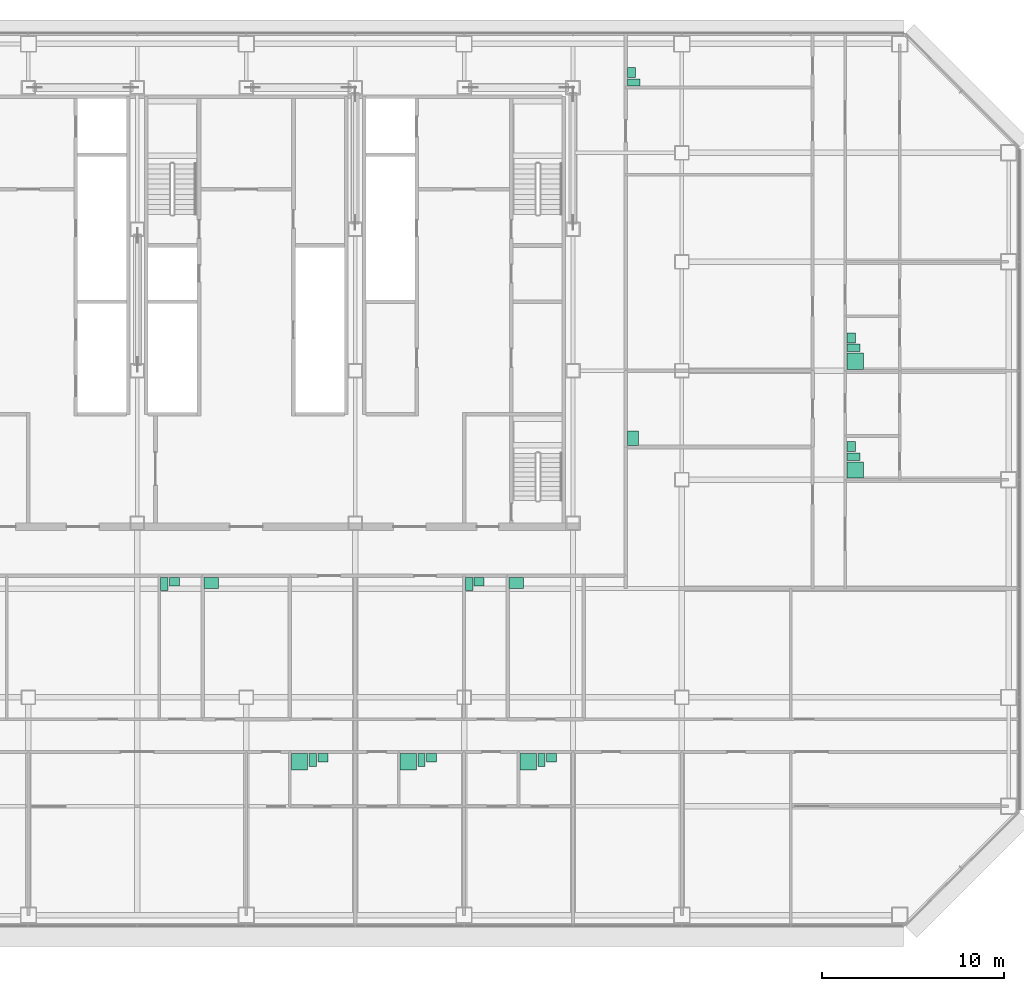
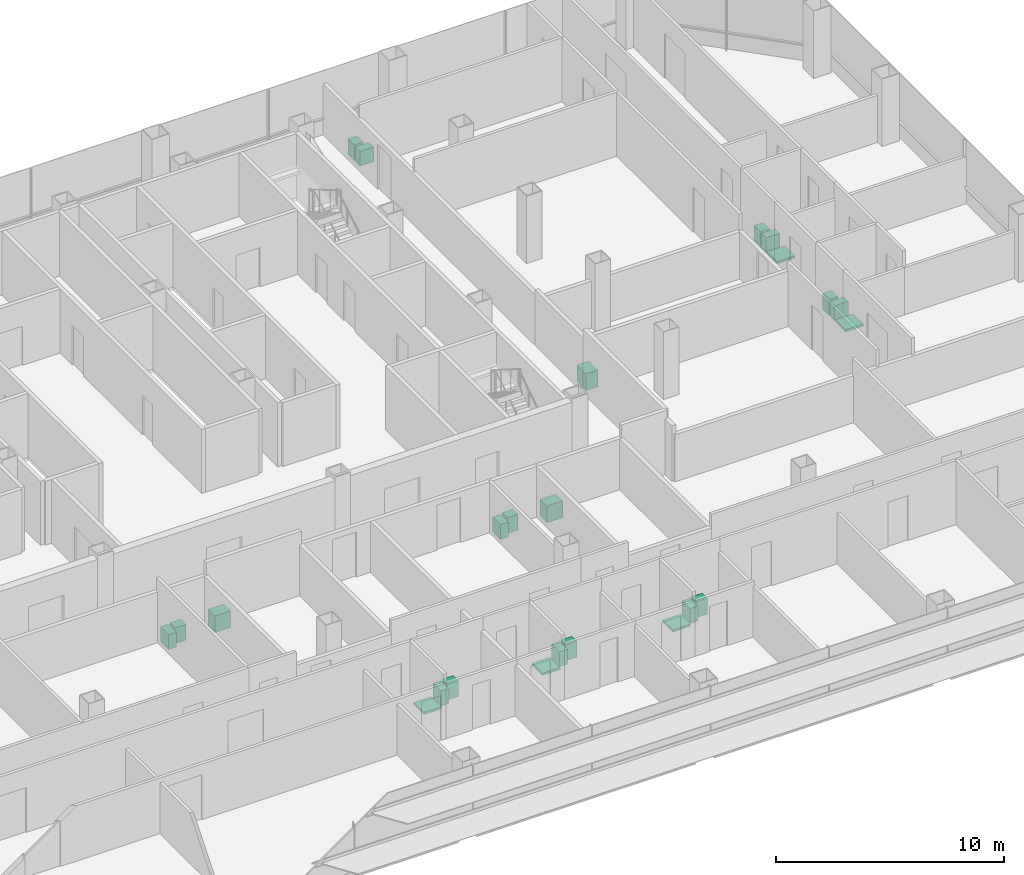
# One storey, part 26 of 26: 24 sanitary terminals.
"""IFC4 building model written with IfcOpenShell, lengths in metres."""

from ifc_helpers import new_model, si_unit, direction, frame, origin, origin_2d, place, context, subcontext, project, spatial, rectangle, extrude, element, save


model = new_model("IFC4")

# Units and contexts
model_context = context("Model", 3, precision=1e-05, world=origin(), true_north=direction((0.0, 1.0)))
body_context = subcontext(model_context, "Body", "Model", "MODEL_VIEW")
ifc_project = project(units=[si_unit("LENGTHUNIT", "METRE"), si_unit("AREAUNIT", "SQUARE_METRE"), si_unit("VOLUMEUNIT", "CUBIC_METRE"), si_unit("PLANEANGLEUNIT", "RADIAN"), si_unit("MASSUNIT", "GRAM", prefix="KILO")], contexts=[model_context])

# Site, building, storey
site_placement = place(None, origin())
site = spatial("IfcSite", under=ifc_project, at=site_placement, CompositionType="ELEMENT")
building_placement = place(site_placement, origin())
building = spatial("IfcBuilding", under=site, at=building_placement, Name="Sorahane Residences", CompositionType="ELEMENT")
storey_placement = place(building_placement, frame((0.0, 0.0, 67.800048828125)))
storey = spatial("IfcBuildingStorey", under=building, at=storey_placement, Name="L13", CompositionType="ELEMENT", Elevation=67.800048828125)

# Sanitary terminals
sanitary_terminal_1_placement = place(storey_placement, frame((26.929931640625, 8.449951171875, 0.0), z_axis=(0.0, 0.0, 1.0), x_axis=(1.0, 0.0, 0.0)))
element("IfcSanitaryTerminal", 1, at=sanitary_terminal_1_placement, inside=storey, Name="Shower tray En-suite bathroom 13A", PredefinedType="SHOWER", context=body_context, shape_type="SweptSolid", body=[
    extrude(rectangle(XDim=0.89990234375, YDim=0.89990234375, at=origin_2d()), origin(), (0.0, 0.0, 1.0), 0.1201171875),
])
sanitary_terminal_2_placement = place(storey_placement, frame((27.659912109375, 8.550048828125, 0.0), z_axis=(0.0, 0.0, 1.0), x_axis=(1.0, 0.0, 0.0)))
element("IfcSanitaryTerminal", 2, at=sanitary_terminal_2_placement, inside=storey, Name="WC pan En-suite bathroom 13A", PredefinedType="TOILETPAN", context=body_context, shape_type="SweptSolid", body=[
    extrude(rectangle(XDim=0.39990234375, YDim=0.699951171875, at=origin_2d()), origin(), (0.0, 0.0, 1.0), 0.800048828125),
])
sanitary_terminal_3_placement = place(storey_placement, frame((28.215087890625, 8.675048828125, 0.0), z_axis=(0.0, 0.0, 1.0), x_axis=(1.0, 0.0, 0.0)))
element("IfcSanitaryTerminal", 3, at=sanitary_terminal_3_placement, inside=storey, Name="Wash basin En-suite bathroom 13A", PredefinedType="WASHHANDBASIN", context=body_context, shape_type="SweptSolid", body=[
    extrude(rectangle(XDim=0.550048828125, YDim=0.449951171875, at=origin_2d()), origin(), (0.0, 0.0, 1.0), 0.85009765625),
])
sanitary_terminal_4_placement = place(storey_placement, frame((19.47998046875, 18.25, 0.0), z_axis=(0.0, 0.0, 1.0), x_axis=(1.0, 0.0, 0.0)))
element("IfcSanitaryTerminal", 4, at=sanitary_terminal_4_placement, inside=storey, Name="WC pan Guest WC 13A", PredefinedType="TOILETPAN", context=body_context, shape_type="SweptSolid", body=[
    extrude(rectangle(XDim=0.39990234375, YDim=0.699951171875, at=origin_2d()), origin(), (0.0, 0.0, 1.0), 0.800048828125),
])
sanitary_terminal_5_placement = place(storey_placement, frame((20.034912109375, 18.375, 0.0), z_axis=(0.0, 0.0, 1.0), x_axis=(1.0, 0.0, 0.0)))
element("IfcSanitaryTerminal", 5, at=sanitary_terminal_5_placement, inside=storey, Name="Wash basin Guest WC 13A", PredefinedType="WASHHANDBASIN", context=body_context, shape_type="SweptSolid", body=[
    extrude(rectangle(XDim=0.550048828125, YDim=0.449951171875, at=origin_2d()), origin(), (0.0, 0.0, 1.0), 0.85009765625),
])
sanitary_terminal_6_placement = place(storey_placement, frame((22.080078125, 18.300048828125, 0.0), z_axis=(0.0, 0.0, 1.0), x_axis=(1.0, 0.0, 0.0)))
element("IfcSanitaryTerminal", 6, at=sanitary_terminal_6_placement, inside=storey, Name="Kitchen sink Kitchen 13A", PredefinedType="SINK", context=body_context, shape_type="SweptSolid", body=[
    extrude(rectangle(XDim=0.800048828125, YDim=0.60009765625, at=origin_2d()), origin(), (0.0, 0.0, 1.0), 0.89990234375),
])
sanitary_terminal_7_placement = place(storey_placement, frame((32.929931640625, 8.449951171875, 0.0), z_axis=(0.0, 0.0, 1.0), x_axis=(1.0, 0.0, 0.0)))
element("IfcSanitaryTerminal", 7, at=sanitary_terminal_7_placement, inside=storey, Name="Shower tray En-suite bathroom 13B", PredefinedType="SHOWER", context=body_context, shape_type="SweptSolid", body=[
    extrude(rectangle(XDim=0.89990234375, YDim=0.89990234375, at=origin_2d()), origin(), (0.0, 0.0, 1.0), 0.1201171875),
])
sanitary_terminal_8_placement = place(storey_placement, frame((33.659912109375, 8.550048828125, 0.0), z_axis=(0.0, 0.0, 1.0), x_axis=(1.0, 0.0, 0.0)))
element("IfcSanitaryTerminal", 8, at=sanitary_terminal_8_placement, inside=storey, Name="WC pan En-suite bathroom 13B", PredefinedType="TOILETPAN", context=body_context, shape_type="SweptSolid", body=[
    extrude(rectangle(XDim=0.39990234375, YDim=0.699951171875, at=origin_2d()), origin(), (0.0, 0.0, 1.0), 0.800048828125),
])
sanitary_terminal_9_placement = place(storey_placement, frame((34.215087890625, 8.675048828125, 0.0), z_axis=(0.0, 0.0, 1.0), x_axis=(1.0, 0.0, 0.0)))
element("IfcSanitaryTerminal", 9, at=sanitary_terminal_9_placement, inside=storey, Name="Wash basin En-suite bathroom 13B", PredefinedType="WASHHANDBASIN", context=body_context, shape_type="SweptSolid", body=[
    extrude(rectangle(XDim=0.550048828125, YDim=0.449951171875, at=origin_2d()), origin(), (0.0, 0.0, 1.0), 0.85009765625),
])
sanitary_terminal_10_placement = place(storey_placement, frame((39.530029296875, 8.449951171875, 0.0), z_axis=(0.0, 0.0, 1.0), x_axis=(1.0, 0.0, 0.0)))
element("IfcSanitaryTerminal", 10, at=sanitary_terminal_10_placement, inside=storey, Name="Shower tray En-suite bathroom 13B-2", PredefinedType="SHOWER", context=body_context, shape_type="SweptSolid", body=[
    extrude(rectangle(XDim=0.89990234375, YDim=0.89990234375, at=origin_2d()), origin(), (0.0, 0.0, 1.0), 0.1201171875),
])
sanitary_terminal_11_placement = place(storey_placement, frame((40.260009765625, 8.550048828125, 0.0), z_axis=(0.0, 0.0, 1.0), x_axis=(1.0, 0.0, 0.0)))
element("IfcSanitaryTerminal", 11, at=sanitary_terminal_11_placement, inside=storey, Name="WC pan En-suite bathroom 13B-2", PredefinedType="TOILETPAN", context=body_context, shape_type="SweptSolid", body=[
    extrude(rectangle(XDim=0.39990234375, YDim=0.699951171875, at=origin_2d()), origin(), (0.0, 0.0, 1.0), 0.800048828125),
])
sanitary_terminal_12_placement = place(storey_placement, frame((40.81494140625, 8.675048828125, 0.0), z_axis=(0.0, 0.0, 1.0), x_axis=(1.0, 0.0, 0.0)))
element("IfcSanitaryTerminal", 12, at=sanitary_terminal_12_placement, inside=storey, Name="Wash basin En-suite bathroom 13B-2", PredefinedType="WASHHANDBASIN", context=body_context, shape_type="SweptSolid", body=[
    extrude(rectangle(XDim=0.550048828125, YDim=0.449951171875, at=origin_2d()), origin(), (0.0, 0.0, 1.0), 0.85009765625),
])
sanitary_terminal_13_placement = place(storey_placement, frame((36.280029296875, 18.25, 0.0), z_axis=(0.0, 0.0, 1.0), x_axis=(1.0, 0.0, 0.0)))
element("IfcSanitaryTerminal", 13, at=sanitary_terminal_13_placement, inside=storey, Name="WC pan Guest WC 13B", PredefinedType="TOILETPAN", context=body_context, shape_type="SweptSolid", body=[
    extrude(rectangle(XDim=0.39990234375, YDim=0.699951171875, at=origin_2d()), origin(), (0.0, 0.0, 1.0), 0.800048828125),
])
sanitary_terminal_14_placement = place(storey_placement, frame((36.8349609375, 18.375, 0.0), z_axis=(0.0, 0.0, 1.0), x_axis=(1.0, 0.0, 0.0)))
element("IfcSanitaryTerminal", 14, at=sanitary_terminal_14_placement, inside=storey, Name="Wash basin Guest WC 13B", PredefinedType="WASHHANDBASIN", context=body_context, shape_type="SweptSolid", body=[
    extrude(rectangle(XDim=0.550048828125, YDim=0.449951171875, at=origin_2d()), origin(), (0.0, 0.0, 1.0), 0.85009765625),
])
sanitary_terminal_15_placement = place(storey_placement, frame((38.8798828125, 18.300048828125, 0.0), z_axis=(0.0, 0.0, 1.0), x_axis=(1.0, 0.0, 0.0)))
element("IfcSanitaryTerminal", 15, at=sanitary_terminal_15_placement, inside=storey, Name="Kitchen sink Kitchen 13B", PredefinedType="SINK", context=body_context, shape_type="SweptSolid", body=[
    extrude(rectangle(XDim=0.800048828125, YDim=0.60009765625, at=origin_2d()), origin(), (0.0, 0.0, 1.0), 0.89990234375),
])
sanitary_terminal_16_placement = place(storey_placement, frame((57.550048828125, 24.530029296875, 0.0), z_axis=(0.0, 0.0, 1.0), x_axis=(0.0, 1.0, 0.0)))
element("IfcSanitaryTerminal", 16, at=sanitary_terminal_16_placement, inside=storey, Name="Shower tray En-suite bathroom 13C", PredefinedType="SHOWER", context=body_context, shape_type="SweptSolid", body=[
    extrude(rectangle(XDim=0.89990234375, YDim=0.89990234375, at=origin_2d()), origin(), (0.0, 0.0, 1.0), 0.1201171875),
])
sanitary_terminal_17_placement = place(storey_placement, frame((57.449951171875, 25.260009765625, 0.0), z_axis=(0.0, 0.0, 1.0), x_axis=(0.0, 1.0, 0.0)))
element("IfcSanitaryTerminal", 17, at=sanitary_terminal_17_placement, inside=storey, Name="WC pan En-suite bathroom 13C", PredefinedType="TOILETPAN", context=body_context, shape_type="SweptSolid", body=[
    extrude(rectangle(XDim=0.39990234375, YDim=0.699951171875, at=origin_2d()), origin(), (0.0, 0.0, 1.0), 0.800048828125),
])
sanitary_terminal_18_placement = place(storey_placement, frame((57.324951171875, 25.81494140625, 0.0), z_axis=(0.0, 0.0, 1.0), x_axis=(0.0, 1.0, 0.0)))
element("IfcSanitaryTerminal", 18, at=sanitary_terminal_18_placement, inside=storey, Name="Wash basin En-suite bathroom 13C", PredefinedType="WASHHANDBASIN", context=body_context, shape_type="SweptSolid", body=[
    extrude(rectangle(XDim=0.550048828125, YDim=0.449951171875, at=origin_2d()), origin(), (0.0, 0.0, 1.0), 0.85009765625),
])
sanitary_terminal_19_placement = place(storey_placement, frame((57.550048828125, 30.530029296875, 0.0), z_axis=(0.0, 0.0, 1.0), x_axis=(0.0, 1.0, 0.0)))
element("IfcSanitaryTerminal", 19, at=sanitary_terminal_19_placement, inside=storey, Name="Shower tray En-suite bathroom 13C-2", PredefinedType="SHOWER", context=body_context, shape_type="SweptSolid", body=[
    extrude(rectangle(XDim=0.89990234375, YDim=0.89990234375, at=origin_2d()), origin(), (0.0, 0.0, 1.0), 0.1201171875),
])
sanitary_terminal_20_placement = place(storey_placement, frame((57.449951171875, 31.260009765625, 0.0), z_axis=(0.0, 0.0, 1.0), x_axis=(0.0, 1.0, 0.0)))
element("IfcSanitaryTerminal", 20, at=sanitary_terminal_20_placement, inside=storey, Name="WC pan En-suite bathroom 13C-2", PredefinedType="TOILETPAN", context=body_context, shape_type="SweptSolid", body=[
    extrude(rectangle(XDim=0.39990234375, YDim=0.699951171875, at=origin_2d()), origin(), (0.0, 0.0, 1.0), 0.800048828125),
])
sanitary_terminal_21_placement = place(storey_placement, frame((57.324951171875, 31.81494140625, 0.0), z_axis=(0.0, 0.0, 1.0), x_axis=(0.0, 1.0, 0.0)))
element("IfcSanitaryTerminal", 21, at=sanitary_terminal_21_placement, inside=storey, Name="Wash basin En-suite bathroom 13C-2", PredefinedType="WASHHANDBASIN", context=body_context, shape_type="SweptSolid", body=[
    extrude(rectangle(XDim=0.550048828125, YDim=0.449951171875, at=origin_2d()), origin(), (0.0, 0.0, 1.0), 0.85009765625),
])
sanitary_terminal_22_placement = place(storey_placement, frame((45.300048828125, 26.280029296875, 0.0), z_axis=(0.0, 0.0, 1.0), x_axis=(0.0, 1.0, 0.0)))
element("IfcSanitaryTerminal", 22, at=sanitary_terminal_22_placement, inside=storey, Name="Kitchen sink Kitchen 13C", PredefinedType="SINK", context=body_context, shape_type="SweptSolid", body=[
    extrude(rectangle(XDim=0.800048828125, YDim=0.60009765625, at=origin_2d()), origin(), (0.0, 0.0, 1.0), 0.89990234375),
])
sanitary_terminal_23_placement = place(storey_placement, frame((45.35009765625, 45.8798828125, 0.0), z_axis=(0.0, 0.0, 1.0), x_axis=(0.0, 1.0, 0.0)))
element("IfcSanitaryTerminal", 23, at=sanitary_terminal_23_placement, inside=storey, Name="WC pan Powder room 13C", PredefinedType="TOILETPAN", context=body_context, shape_type="SweptSolid", body=[
    extrude(rectangle(XDim=0.39990234375, YDim=0.699951171875, at=origin_2d()), origin(), (0.0, 0.0, 1.0), 0.800048828125),
])
sanitary_terminal_24_placement = place(storey_placement, frame((45.22509765625, 46.43505859375, 0.0), z_axis=(0.0, 0.0, 1.0), x_axis=(0.0, 1.0, 0.0)))
element("IfcSanitaryTerminal", 24, at=sanitary_terminal_24_placement, inside=storey, Name="Wash basin Powder room 13C", PredefinedType="WASHHANDBASIN", context=body_context, shape_type="SweptSolid", body=[
    extrude(rectangle(XDim=0.550048828125, YDim=0.449951171875, at=origin_2d()), origin(), (0.0, 0.0, 1.0), 0.85009765625),
])

save(model, "model.ifc")
